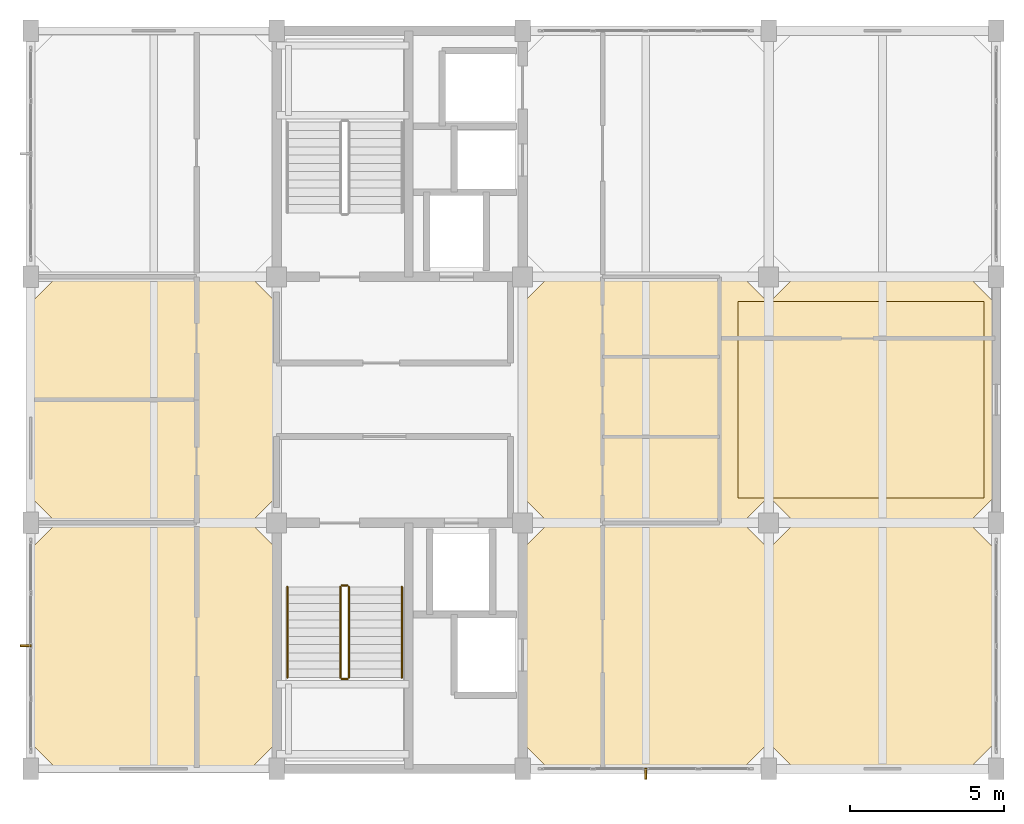
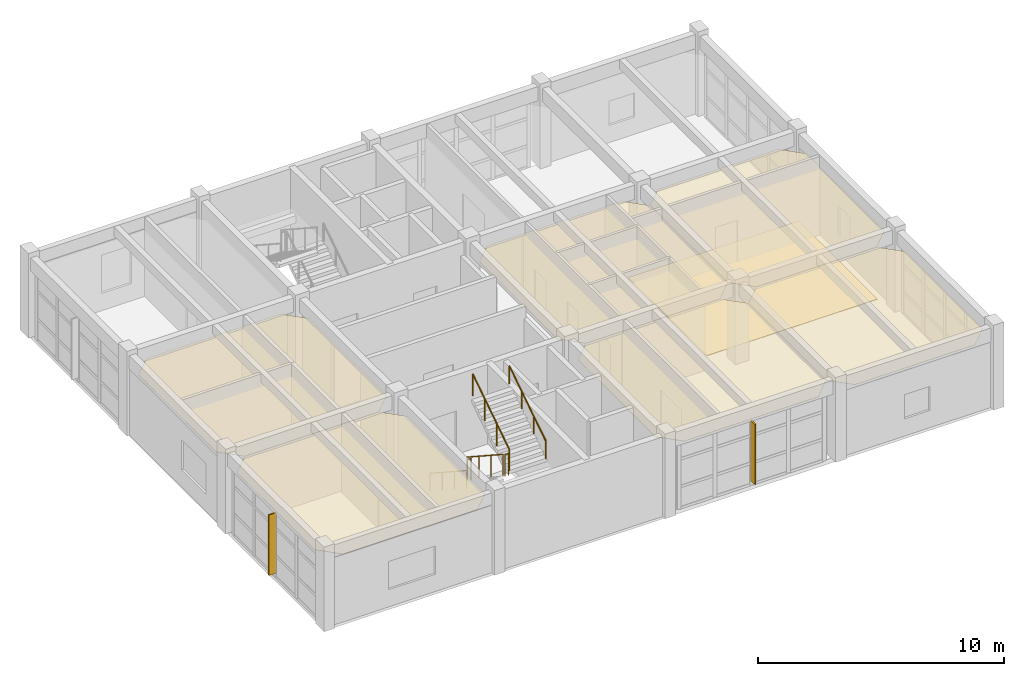
# One storey, part 15 of 16: 7 coverings, 6 railings, 2 shading devices.
"""IFC4 building model written with IfcOpenShell, lengths in metres."""

from ifc_helpers import new_model, si_unit, direction, frame, origin, origin_2d, place, context, subcontext, project, spatial, polyline, rectangle, circle, outline, extrude, material, layer, layer_set, type_object, element, save


model = new_model("IFC4")

# Units and contexts
model_context = context("Model", 3, precision=1e-05, world=origin(), true_north=direction((0.0, 1.0)))
body_context = subcontext(model_context, "Body", "Model", "MODEL_VIEW")
ifc_project = project(units=[si_unit("LENGTHUNIT", "METRE"), si_unit("AREAUNIT", "SQUARE_METRE"), si_unit("VOLUMEUNIT", "CUBIC_METRE"), si_unit("PLANEANGLEUNIT", "RADIAN"), si_unit("MASSUNIT", "GRAM", prefix="KILO")], contexts=[model_context])

# Site, building, storey
site_placement = place(None, origin())
site = spatial("IfcSite", under=ifc_project, at=site_placement, CompositionType="ELEMENT")
building_placement = place(site_placement, origin())
building = spatial("IfcBuilding", under=site, at=building_placement, Name="Canggui Botanical Conservatory", CompositionType="ELEMENT")
storey_placement = place(building_placement, frame((0.0, 0.0, 65.39990234375)))
storey = spatial("IfcBuildingStorey", under=building, at=storey_placement, Name="L16", CompositionType="ELEMENT", Elevation=65.39990234375)

# Coverings
ifc_material_1 = material(Name="Mineral Fibre Acoustic Board")
ifc_layer_1 = layer(ifc_material_1, 0.014892578125, Name="Mineral Fibre Acoustic Board")
ifc_layer_set_1 = layer_set([ifc_layer_1], Name="Mineral Fibre Acoustic Board")
covering_type_1 = type_object("IfcCoveringType", Name="COV-CEIL-15", PredefinedType="CEILING", material=ifc_layer_set_1)
covering_1_placement = place(storey_placement, frame((0.0, 0.0, 3.2451171875)))
element("IfcCovering", 1, at=covering_1_placement, inside=storey, type_object=covering_type_1, Name="Suspended Acoustic Ceiling L16-146-50", PredefinedType="CEILING", context=body_context, shape_type="SweptSolid", body=[
    extrude(outline(polyline([(146.85009765625, 50.0), (153.14990234375, 50.0), (154.0, 50.85009765625), (154.0, 57.14990234375), (153.14990234375, 58.0), (146.85009765625, 58.0), (146.0, 57.14990234375), (146.0, 50.85009765625), (146.85009765625, 50.0)])), origin(), (0.0, 0.0, 1.0), 0.014892578125),
])
covering_2_placement = place(storey_placement, frame((0.0, 0.0, 3.2451171875)))
element("IfcCovering", 2, at=covering_2_placement, inside=storey, type_object=covering_type_1, Name="Suspended Acoustic Ceiling L16-162-50", PredefinedType="CEILING", context=body_context, shape_type="SweptSolid", body=[
    extrude(outline(polyline([(162.85009765625, 50.0), (169.14990234375, 50.0), (170.0, 50.85009765625), (170.0, 57.14990234375), (169.14990234375, 58.0), (162.85009765625, 58.0), (162.0, 57.14990234375), (162.0, 50.85009765625), (162.85009765625, 50.0)])), origin(), (0.0, 0.0, 1.0), 0.014892578125),
])
covering_3_placement = place(storey_placement, frame((0.0, 0.0, 3.2451171875)))
element("IfcCovering", 3, at=covering_3_placement, inside=storey, type_object=covering_type_1, Name="Suspended Acoustic Ceiling L16-170-42", PredefinedType="CEILING", context=body_context, shape_type="SweptSolid", body=[
    extrude(outline(polyline([(170.85009765625, 42.0), (176.5, 42.0), (177.35009765625, 42.85009765625), (177.35009765625, 49.14990234375), (176.5, 50.0), (170.85009765625, 50.0), (170.0, 49.14990234375), (170.0, 42.85009765625), (170.85009765625, 42.0)])), origin(), (0.0, 0.0, 1.0), 0.014892578125),
])
ifc_material_2 = material(Name="Perforated Gypsum Acoustic Panel")
ifc_layer_2 = layer(ifc_material_2, 0.02001953125, Name="Perforated Gypsum Acoustic Panel")
ifc_layer_set_2 = layer_set([ifc_layer_2], Name="Perforated Gypsum Acoustic Panel")
covering_type_2 = type_object("IfcCoveringType", Name="COV-CEIL-20", PredefinedType="CEILING", material=ifc_layer_set_2)
covering_4_placement = place(storey_placement, frame((0.0, 0.0, 3.239990234375)))
element("IfcCovering", 4, at=covering_4_placement, inside=storey, type_object=covering_type_2, Name="Suspended Acoustic Ceiling L16-146-42", PredefinedType="CEILING", context=body_context, shape_type="SweptSolid", body=[
    extrude(outline(polyline([(146.85009765625, 42.0), (153.14990234375, 42.0), (154.0, 42.85009765625), (154.0, 49.14990234375), (153.14990234375, 50.0), (146.85009765625, 50.0), (146.0, 49.14990234375), (146.0, 42.85009765625), (146.85009765625, 42.0)])), origin(), (0.0, 0.0, 1.0), 0.02001953125),
])
covering_5_placement = place(storey_placement, frame((0.0, 0.0, 3.239990234375)))
element("IfcCovering", 5, at=covering_5_placement, inside=storey, type_object=covering_type_2, Name="Suspended Acoustic Ceiling L16-162-42", PredefinedType="CEILING", context=body_context, shape_type="SweptSolid", body=[
    extrude(outline(polyline([(162.85009765625, 42.0), (169.14990234375, 42.0), (170.0, 42.85009765625), (170.0, 49.14990234375), (169.14990234375, 50.0), (162.85009765625, 50.0), (162.0, 49.14990234375), (162.0, 42.85009765625), (162.85009765625, 42.0)])), origin(), (0.0, 0.0, 1.0), 0.02001953125),
])
covering_6_placement = place(storey_placement, frame((0.0, 0.0, 3.239990234375)))
element("IfcCovering", 6, at=covering_6_placement, inside=storey, type_object=covering_type_2, Name="Suspended Acoustic Ceiling L16-170-50", PredefinedType="CEILING", context=body_context, shape_type="SweptSolid", body=[
    extrude(outline(polyline([(170.85009765625, 50.0), (176.5, 50.0), (177.35009765625, 50.85009765625), (177.35009765625, 57.14990234375), (176.5, 58.0), (170.85009765625, 58.0), (170.0, 57.14990234375), (170.0, 50.85009765625), (170.85009765625, 50.0)])), origin(), (0.0, 0.0, 1.0), 0.02001953125),
])
ifc_material_3 = material(Name="Seamless Laboratory Epoxy Resin")
ifc_layer_3 = layer(ifc_material_3, 0.011962890625, Name="Seamless Laboratory Epoxy Resin")
ifc_layer_set_3 = layer_set([ifc_layer_3], Name="Seamless Laboratory Epoxy Resin")
covering_type_3 = type_object("IfcCoveringType", Name="COV-FLR-12", PredefinedType="FLOORING", material=ifc_layer_set_3)
covering_7_placement = place(storey_placement, origin())
element("IfcCovering", 7, at=covering_7_placement, inside=storey, type_object=covering_type_3, Name="Laboratory Finish Flooring L16", PredefinedType="FLOORING", context=body_context, shape_type="SweptSolid", body=[
    extrude(outline(polyline([(169.0, 50.800048828125), (177.0, 50.800048828125), (177.0, 57.199951171875), (169.0, 57.199951171875), (169.0, 50.800048828125)])), origin(), (0.0, 0.0, 1.0), 0.01220703125),
])

# Railings
ifc_material_4 = material(Name="Stainless Steel 304", Category="steel")
railing_type_1 = type_object("IfcRailingType", Name="RAIL-GUARD-1100", PredefinedType="BALUSTRADE", material=ifc_material_4)
railing_1_placement = place(storey_placement, frame((156.070068359375, 47.919921875, 0.175048828125)))
element("IfcRailing", 8, at=railing_1_placement, inside=storey, type_object=railing_type_1, Name="L16 ST-T1 stair guard 1", PredefinedType="BALUSTRADE", context=body_context, shape_type="SweptSolid", body=[
    extrude(circle(Radius=0.02392578125, at=origin_2d()), frame((0.0, 0.0, 1.076171875), z_axis=(0.0, -0.837293178872, 0.54675417933), x_axis=(1.0, 0.0, 0.0)), (0.0, 0.0, 1.0), 3.520751953125),
    extrude(circle(Radius=0.02099609375, at=origin_2d()), origin(), (0.0, 0.0, 1.0), 1.052001953125),
    extrude(circle(Radius=0.02099609375, at=origin_2d()), frame((0.0, -0.982666015625, 0.6416015625)), (0.0, 0.0, 1.0), 1.052001953125),
    extrude(circle(Radius=0.02099609375, at=origin_2d()), frame((0.0, -1.96533203125, 1.283447265625)), (0.0, 0.0, 1.0), 1.052001953125),
    extrude(circle(Radius=0.02099609375, at=origin_2d()), frame((0.0, -2.947998046875, 1.925048828125)), (0.0, 0.0, 1.0), 1.052001953125),
])
railing_2_placement = place(storey_placement, frame((156.1201171875, 44.922119140625, 2.10009765625)))
element("IfcRailing", 9, at=railing_2_placement, inside=storey, type_object=railing_type_1, Name="L16 ST-T1 stair guard 2", PredefinedType="BALUSTRADE", context=body_context, shape_type="SweptSolid", body=[
    extrude(circle(Radius=0.02392578125, at=origin_2d()), frame((0.0, 0.0, 1.076171875), z_axis=(1.0, 0.0, 0.0), x_axis=(0.0, 1.0, 0.0)), (0.0, 0.0, 1.0), 0.179931640625),
    extrude(circle(Radius=0.02099609375, at=origin_2d()), origin(), (0.0, 0.0, 1.0), 1.052001953125),
    extrude(circle(Radius=0.02099609375, at=origin_2d()), frame((0.179931640625, 0.0, 0.0)), (0.0, 0.0, 1.0), 1.052001953125),
])
railing_3_placement = place(storey_placement, frame((156.35009765625, 44.971923828125, 2.275146484375)))
element("IfcRailing", 10, at=railing_3_placement, inside=storey, type_object=railing_type_1, Name="L16 ST-T1 stair guard 3", PredefinedType="BALUSTRADE", context=body_context, shape_type="SweptSolid", body=[
    extrude(circle(Radius=0.02392578125, at=origin_2d()), frame((0.0, 0.0, 1.076171875), z_axis=(0.0, 0.837293178872, 0.54675417933), x_axis=(-1.0, 0.0, 0.0)), (0.0, 0.0, 1.0), 3.520751953125),
    extrude(circle(Radius=0.02099609375, at=origin_2d()), origin(), (0.0, 0.0, 1.0), 1.052001953125),
    extrude(circle(Radius=0.02099609375, at=origin_2d()), frame((0.0, 0.982666015625, 0.6416015625)), (0.0, 0.0, 1.0), 1.052001953125),
    extrude(circle(Radius=0.02099609375, at=origin_2d()), frame((0.0, 1.96533203125, 1.283447265625)), (0.0, 0.0, 1.0), 1.052001953125),
    extrude(circle(Radius=0.02099609375, at=origin_2d()), frame((0.0, 2.947998046875, 1.925048828125)), (0.0, 0.0, 1.0), 1.052001953125),
])
railing_4_placement = place(storey_placement, frame((156.1201171875, 47.969970703125, 0.0)))
element("IfcRailing", 11, at=railing_4_placement, inside=storey, type_object=railing_type_1, Name="L16 ST-T1 stair guard 4", PredefinedType="BALUSTRADE", context=body_context, shape_type="SweptSolid", body=[
    extrude(circle(Radius=0.02392578125, at=origin_2d()), frame((0.0, 0.0, 1.076171875), z_axis=(1.0, 0.0, 0.0), x_axis=(0.0, 1.0, 0.0)), (0.0, 0.0, 1.0), 0.179931640625),
    extrude(circle(Radius=0.02099609375, at=origin_2d()), origin(), (0.0, 0.0, 1.0), 1.052001953125),
    extrude(circle(Radius=0.02099609375, at=origin_2d()), frame((0.179931640625, 0.0, 0.0)), (0.0, 0.0, 1.0), 1.052001953125),
])
railing_type_2 = type_object("IfcRailingType", Name="RAIL-HAND-900", PredefinedType="HANDRAIL", material=ifc_material_4)
railing_5_placement = place(storey_placement, frame((154.35009765625, 47.919921875, 0.175048828125)))
element("IfcRailing", 12, at=railing_5_placement, inside=storey, type_object=railing_type_2, Name="L16 ST-T1 stair handrail 1", PredefinedType="HANDRAIL", context=body_context, shape_type="SweptSolid", body=[
    extrude(circle(Radius=0.02392578125, at=origin_2d()), frame((0.0, 0.0, 0.8759765625), z_axis=(0.0, -0.837293178872, 0.54675417933), x_axis=(1.0, 0.0, 0.0)), (0.0, 0.0, 1.0), 3.520751953125),
    extrude(circle(Radius=0.02099609375, at=origin_2d()), origin(), (0.0, 0.0, 1.0), 0.851806640625),
    extrude(circle(Radius=0.02099609375, at=origin_2d()), frame((0.0, -0.982666015625, 0.6416015625)), (0.0, 0.0, 1.0), 0.851806640625),
    extrude(circle(Radius=0.02099609375, at=origin_2d()), frame((0.0, -1.96533203125, 1.283447265625)), (0.0, 0.0, 1.0), 0.851806640625),
    extrude(circle(Radius=0.02099609375, at=origin_2d()), frame((0.0, -2.947998046875, 1.925048828125)), (0.0, 0.0, 1.0), 0.851806640625),
])
railing_6_placement = place(storey_placement, frame((158.070068359375, 44.971923828125, 2.275146484375)))
element("IfcRailing", 13, at=railing_6_placement, inside=storey, type_object=railing_type_2, Name="L16 ST-T1 stair handrail 2", PredefinedType="HANDRAIL", context=body_context, shape_type="SweptSolid", body=[
    extrude(circle(Radius=0.02392578125, at=origin_2d()), frame((0.0, 0.0, 0.8759765625), z_axis=(0.0, 0.837293178872, 0.54675417933), x_axis=(-1.0, 0.0, 0.0)), (0.0, 0.0, 1.0), 3.520751953125),
    extrude(circle(Radius=0.02099609375, at=origin_2d()), origin(), (0.0, 0.0, 1.0), 0.851806640625),
    extrude(circle(Radius=0.02099609375, at=origin_2d()), frame((0.0, 0.982666015625, 0.6416015625)), (0.0, 0.0, 1.0), 0.851806640625),
    extrude(circle(Radius=0.02099609375, at=origin_2d()), frame((0.0, 1.96533203125, 1.283447265625)), (0.0, 0.0, 1.0), 0.851806640625),
    extrude(circle(Radius=0.02099609375, at=origin_2d()), frame((0.0, 2.947998046875, 1.925048828125)), (0.0, 0.0, 1.0), 0.851806640625),
])

# Shading devices
ifc_material_5 = material(Name="Anodised Aluminium", Category="aluminium")
shading_device_type = type_object("IfcShadingDeviceType", Name="SHD-FIN02", PredefinedType="AWNING", material=ifc_material_5)
for number, where, z_axis, x_axis, name in (
    (14, (166.0, 41.8349609375, 0.205078125), (0.0, 0.0, 1.0), (-1.0, 0.0, 0.0), "Solar Shading Fin CW-TWR-L16-02"),
    (15, (145.8349609375, 46.0, 0.205078125), (0.0, 0.0, 1.0), (0.0, 1.0, 0.0), "Solar Shading Fin CW-TWR-L16-04"),
):
    element("IfcShadingDevice", number, at=place(storey_placement, frame(where, z_axis=z_axis, x_axis=x_axis)), inside=storey, type_object=shading_device_type, Name=name, PredefinedType="AWNING", context=body_context, shape_type="SweptSolid", body=[
        extrude(rectangle(XDim=0.06005859375, YDim=0.360107421875, at=origin_2d()), origin(), (0.0, 0.0, 1.0), 3.0),
    ])

save(model, "model.ifc")
